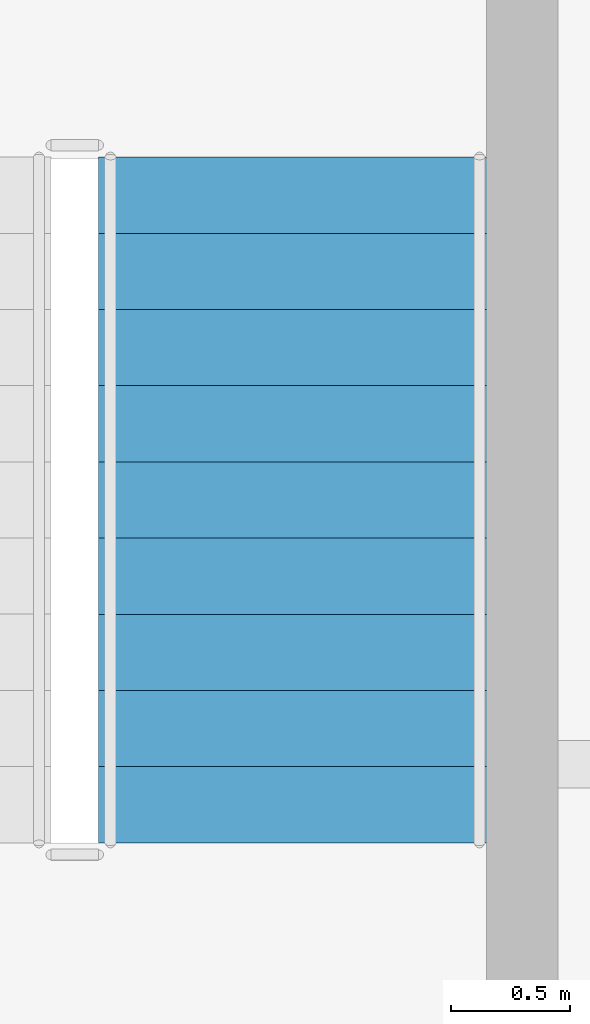
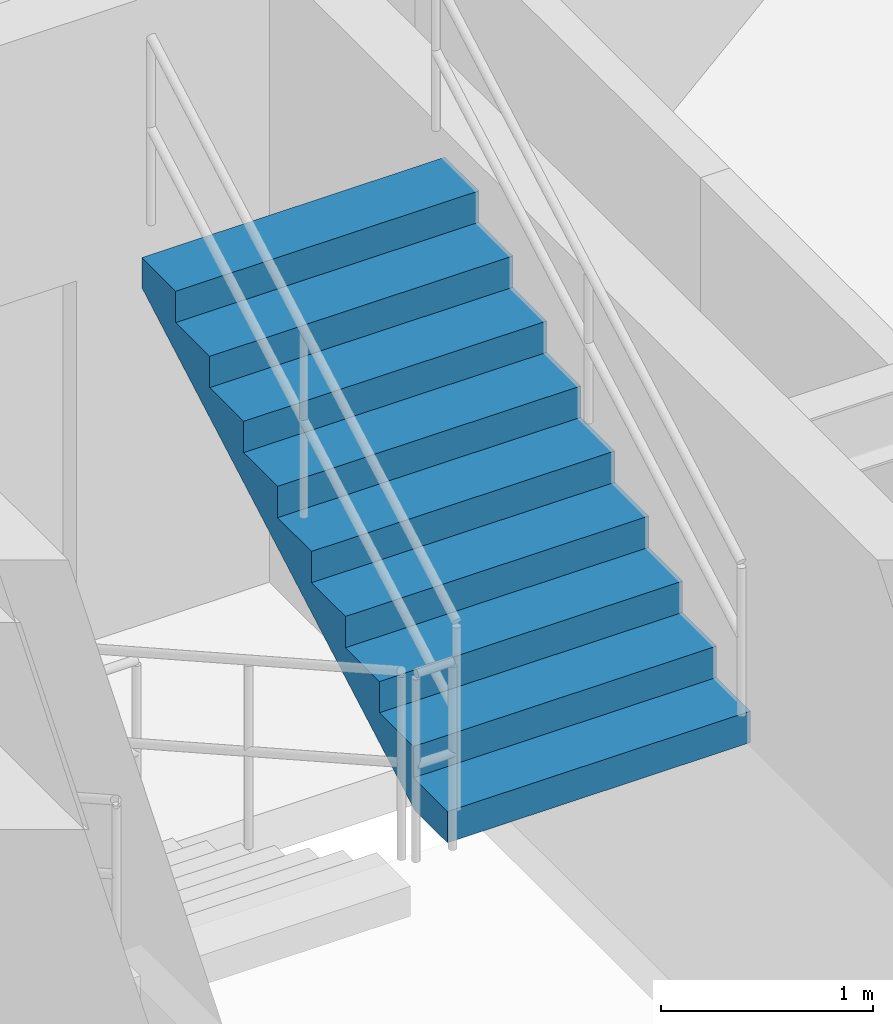
# One storey, part 16 of 17: 1 stair flight, 1 element without a shape of its own.
"""IFC4 building model written with IfcOpenShell, lengths in metres."""

from ifc_helpers import new_model, si_unit, direction, frame, origin, place, context, subcontext, project, spatial, polyline, outline, extrude, material, type_object, element, aggregate, save


model = new_model("IFC4")

# Units and contexts
model_context = context("Model", 3, precision=1e-05, world=origin(), true_north=direction((0.0, 1.0)))
body_context = subcontext(model_context, "Body", "Model", "MODEL_VIEW")
ifc_project = project(units=[si_unit("LENGTHUNIT", "METRE"), si_unit("AREAUNIT", "SQUARE_METRE"), si_unit("VOLUMEUNIT", "CUBIC_METRE"), si_unit("PLANEANGLEUNIT", "RADIAN"), si_unit("MASSUNIT", "GRAM", prefix="KILO")], contexts=[model_context])

# Site, building, storey
site_placement = place(None, origin())
site = spatial("IfcSite", under=ifc_project, at=site_placement, CompositionType="ELEMENT")
building_placement = place(site_placement, origin())
building = spatial("IfcBuilding", under=site, at=building_placement, Name="Veldorina Hangang Commons", CompositionType="ELEMENT")
storey_placement = place(building_placement, frame((0.0, 0.0, 286.800048828125)))
storey = spatial("IfcBuildingStorey", under=building, at=storey_placement, Name="L75", CompositionType="ELEMENT", Elevation=286.800048828125)

# Stair, stair flight
ifc_material = material(Name="Concrete C40/50", Category="concrete")
stair_type = type_object("IfcStairType", Name="STR-DOG-1650-20R", PredefinedType="HALF_TURN_STAIR", material=ifc_material)
stair_placement = place(storey_placement, origin())
stair = element("IfcStair", 1, at=stair_placement, inside=storey, type_object=stair_type, Name="L75 Exit stair ST-2", PredefinedType="HALF_TURN_STAIR")
stair_flight_type = type_object("IfcStairFlightType", Name="SFL-STR-1650-20R", PredefinedType="STRAIGHT", material=ifc_material)
stair_flight_placement = place(storey_placement, frame((42.22509765625, 23.669921875, 1.800048828125), z_axis=(0.0, 0.0, 1.0), x_axis=(0.0, 1.0, 0.0)))
stair_flight = element("IfcStairFlight", 2, at=stair_flight_placement, type_object=stair_flight_type, Name="ST-2 flight 2", NumberOfRisers=10, NumberOfTreads=9, PredefinedType="STRAIGHT", RiserHeight=0.18, TreadLength=0.32, context=body_context, shape_type="SweptSolid", body=[
    extrude(outline(polyline([(0.0, 0.0), (0.0, 0.179931640625), (0.320068359375, 0.179931640625), (0.320068359375, 0.360107421875), (0.639892578125, 0.360107421875), (0.639892578125, 0.5400390625), (0.9599609375, 0.5400390625), (0.9599609375, 0.719970703125), (1.280029296875, 0.719970703125), (1.280029296875, 0.89990234375), (1.60009765625, 0.89990234375), (1.60009765625, 1.080078125), (1.919921875, 1.080078125), (1.919921875, 1.260009765625), (2.239990234375, 1.260009765625), (2.239990234375, 1.43994140625), (2.56005859375, 1.43994140625), (2.56005859375, 1.6201171875), (2.8798828125, 1.6201171875), (2.8798828125, 1.800048828125), (2.8798828125, 1.447998046875), (0.3056640625, 0.0), (0.0, 0.0)])), frame((0.0, 0.824951171875, 0.0), z_axis=(0.0, -1.0, 0.0), x_axis=(1.0, 0.0, 0.0)), (0.0, 0.0, 1.0), 1.64990234375),
])
aggregate(stair, [stair_flight])

save(model, "model.ifc")
